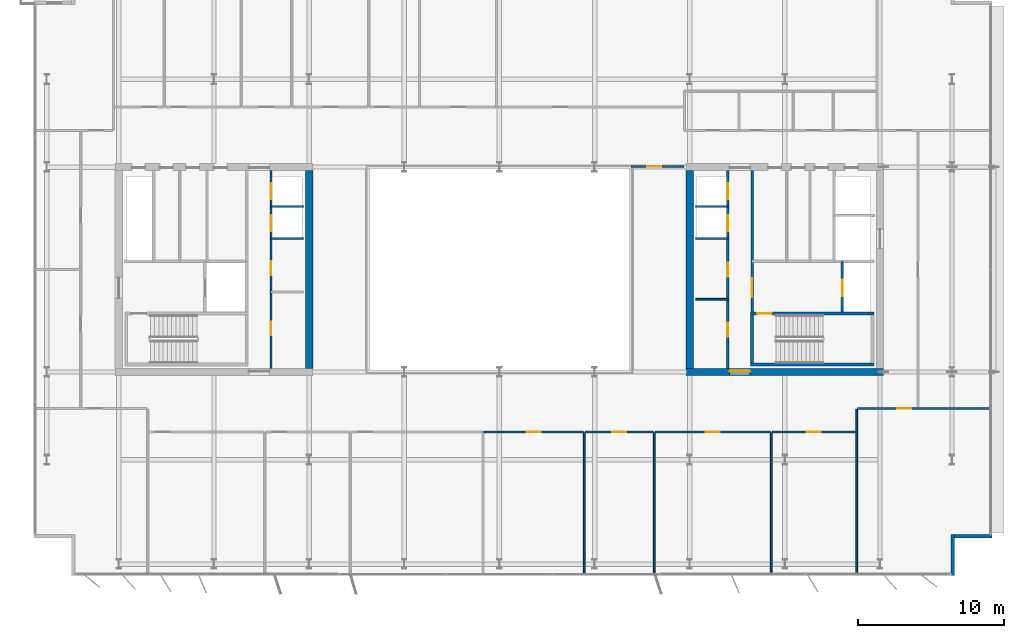
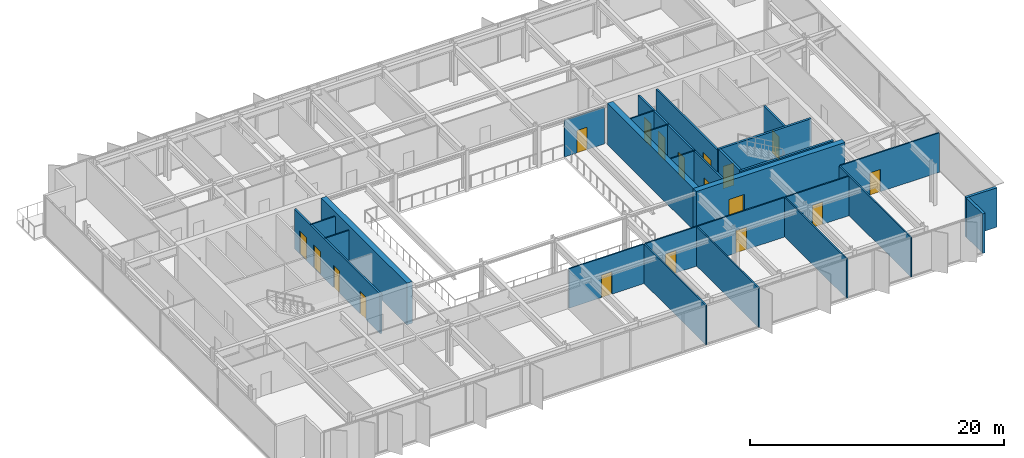
# One storey, part 14 of 20: 27 walls, 18 doors, 18 openings.
"""IFC4 building model written with IfcOpenShell, lengths in metres."""

from ifc_helpers import new_model, si_unit, direction, frame, frame_2d, origin, place, context, subcontext, project, spatial, rectangle, extrude, material, layer, layer_set, type_object, element, fill, save


model = new_model("IFC4")

# Units and contexts
model_context = context("Model", 3, precision=1e-05, world=origin(), true_north=direction((0.0, 1.0)))
body_context = subcontext(model_context, "Body", "Model", "MODEL_VIEW")
ifc_project = project(units=[si_unit("LENGTHUNIT", "METRE"), si_unit("AREAUNIT", "SQUARE_METRE"), si_unit("VOLUMEUNIT", "CUBIC_METRE"), si_unit("PLANEANGLEUNIT", "RADIAN"), si_unit("MASSUNIT", "GRAM", prefix="KILO")], contexts=[model_context])

# Site, building, storey
site_placement = place(None, origin())
site = spatial("IfcSite", under=ifc_project, at=site_placement, CompositionType="ELEMENT")
building_placement = place(site_placement, origin())
building = spatial("IfcBuilding", under=site, at=building_placement, Name="Putna Gate Headquarters", CompositionType="ELEMENT")
storey_placement = place(building_placement, frame((0.0, 0.0, 282.39990234375)))
storey = spatial("IfcBuildingStorey", under=building, at=storey_placement, Name="L71", CompositionType="ELEMENT", Elevation=282.39990234375)

# Wall
ifc_material_1 = material(Name="Concrete C50/60", Category="concrete")
ifc_layer_1 = layer(ifc_material_1, 0.5)
ifc_layer_set_1 = layer_set([ifc_layer_1], Name="Concrete C50/60")
wall_type_1 = type_object("IfcWallType", Name="WALL-CORE-500", PredefinedType="SHEAR", material=ifc_layer_set_1)
wall_1_placement = place(storey_placement, frame((26.0, 19.25, 0.0), z_axis=(0.0, 0.0, 1.0), x_axis=(0.0, 1.0, 0.0)))
element("IfcWall", 1, at=wall_1_placement, inside=storey, type_object=wall_type_1, Name="L71 WC Split Core Shear Wall E", PredefinedType="SHEAR", context=body_context, shape_type="SweptSolid", body=[
    extrude(rectangle(XDim=13.5, YDim=0.5, at=frame_2d((6.75, 0.0))), origin(), (0.0, 0.0, 1.0), 4.0),
])

# Wall, opening, door
wall_2_placement = place(storey_placement, frame((51.75, 19.0, 0.0), z_axis=(0.0, 0.0, 1.0), x_axis=(1.0, 0.0, 0.0)))
wall_2 = element("IfcWall", 2, at=wall_2_placement, inside=storey, type_object=wall_type_1, Name="L71 EC Split Core Shear Wall S", PredefinedType="SHEAR", context=body_context, shape_type="SweptSolid", body=[
    extrude(rectangle(XDim=13.5, YDim=0.5, at=frame_2d((6.75, 0.0))), origin(), (0.0, 0.0, 1.0), 4.0),
])
opening_1_placement = place(wall_2_placement, frame((2.969970703125, 0.0, 0.0)))
opening_1 = element("IfcOpeningElement", 3, at=opening_1_placement, cuts=wall_2, Name="Opening FDD-140", PredefinedType="OPENING", context=body_context, shape_type="SweptSolid", body=[
    extrude(rectangle(XDim=1.39990234375, YDim=2.199951171875, at=frame_2d((0.699951171875, 1.10009765625))), frame((0.0, 0.260009765625, 0.0), z_axis=(0.0, -1.0, 0.0), x_axis=(1.0, 0.0, 0.0)), (0.0, 0.0, 1.0), 0.52001953125),
])
ifc_material_2 = material(Name="Double steel fire door", Category="steel")
door_type_1 = type_object("IfcDoorType", Name="DOOR-FIRE-DBL-1400", OperationType="DOUBLE_DOOR_SINGLE_SWING", PredefinedType="DOOR", material=ifc_material_2)
door_1_placement = place(opening_1_placement, origin())
door_1 = element("IfcDoor", 4, at=door_1_placement, inside=storey, type_object=door_type_1, Name="L71 East Lift Lobby South Door", OperationType="DOUBLE_DOOR_SINGLE_SWING", OverallHeight=2.199951171875, OverallWidth=1.39990234375, PredefinedType="DOOR", context=body_context, shape_type="SweptSolid", body=[
    extrude(rectangle(XDim=1.39990234375, YDim=2.199951171875, at=frame_2d((0.699951171875, 1.10009765625))), frame((0.0, 0.0751953125, 0.0), z_axis=(0.0, -1.0, 0.0), x_axis=(1.0, 0.0, 0.0)), (0.0, 0.0, 1.0), 0.050048828125),
])
fill(opening_1, door_1)

# Walls
wall_3_placement = place(storey_placement, frame((52.0, 19.25, 0.0), z_axis=(0.0, 0.0, 1.0), x_axis=(0.0, 1.0, 0.0)))
element("IfcWall", 5, at=wall_3_placement, inside=storey, type_object=wall_type_1, Name="L71 EC Split Core Shear Wall W", PredefinedType="SHEAR", context=body_context, shape_type="SweptSolid", body=[
    extrude(rectangle(XDim=13.5, YDim=0.5, at=frame_2d((6.75, 0.0))), origin(), (0.0, 0.0, 1.0), 4.0),
])
ifc_material_3 = material(Name="Precast concrete C40/50", Category="concrete")
ifc_layer_2 = layer(ifc_material_3, 0.239990234375)
ifc_layer_set_2 = layer_set([ifc_layer_2], Name="Precast concrete C40/50")
wall_type_2 = type_object("IfcWallType", Name="WALL-EXT-TERR-240", PredefinedType="STANDARD", material=ifc_layer_set_2)
wall_4_placement = place(storey_placement, frame((69.968994140625, 7.89990234375, 0.0), z_axis=(0.0, 0.0, 1.0), x_axis=(0.0, -1.0, 0.0)))
element("IfcWall", 6, at=wall_4_placement, inside=storey, type_object=wall_type_2, Name="L71 Corner Notch Return Wall SE-V", PredefinedType="STANDARD", context=body_context, shape_type="SweptSolid", body=[
    extrude(rectangle(XDim=2.7998046875, YDim=0.239990234375, at=frame_2d((1.39990234375, 0.0))), origin(), (0.0, 0.0, 1.0), 3.7880859375),
])
wall_5_placement = place(storey_placement, frame((72.64892578125, 7.780029296875, 0.0), z_axis=(0.0, 0.0, 1.0), x_axis=(-1.0, 0.0, 0.0)))
element("IfcWall", 7, at=wall_5_placement, inside=storey, type_object=wall_type_2, Name="L71 Corner Notch Return Wall SE-H", PredefinedType="STANDARD", context=body_context, shape_type="SweptSolid", body=[
    extrude(rectangle(XDim=2.800048828125, YDim=0.239990234375, at=frame_2d((1.39990234375, 0.0))), origin(), (0.0, 0.0, 1.0), 3.7880859375),
])

# Wall, opening, door
ifc_material_4 = material(Name="Acoustic gypsum board on metal stud")
ifc_layer_3 = layer(ifc_material_4, 0.1201171875)
ifc_layer_set_3 = layer_set([ifc_layer_3], Name="Acoustic gypsum board on metal stud")
wall_type_3 = type_object("IfcWallType", Name="WALL-PART-120", PredefinedType="PARTITIONING", material=ifc_layer_set_3)
wall_6_placement = place(storey_placement, frame((48.0, 33.0400390625, 0.0), z_axis=(0.0, 0.0, 1.0), x_axis=(1.0, 0.0, 0.0)))
wall_6 = element("IfcWall", 8, at=wall_6_placement, inside=storey, type_object=wall_type_3, Name="L71 Interior Wall PART-L71-ATR-E-N", PredefinedType="PARTITIONING", context=body_context, shape_type="SweptSolid", body=[
    extrude(rectangle(XDim=3.60009765625, YDim=0.1201171875, at=frame_2d((1.800048828125, 0.0))), origin(), (0.0, 0.0, 1.0), 3.528076171875),
])
opening_2_placement = place(wall_6_placement, frame((1.10009765625, 0.0, 0.0)))
opening_2 = element("IfcOpeningElement", 9, at=opening_2_placement, cuts=wall_6, Name="Opening ID-95", PredefinedType="OPENING", context=body_context, shape_type="SweptSolid", body=[
    extrude(rectangle(XDim=0.949951171875, YDim=2.14990234375, at=frame_2d((0.47509765625, 1.074951171875))), frame((0.0, 0.070068359375, 0.0), z_axis=(0.0, -1.0, 0.0), x_axis=(1.0, 0.0, 0.0)), (0.0, 0.0, 1.0), 0.14013671875),
])
ifc_material_5 = material(Name="Veneered acoustic timber door", Category="wood")
door_type_2 = type_object("IfcDoorType", Name="DOOR-OFF-950", OperationType="NOTDEFINED", PredefinedType="DOOR", material=ifc_material_5)
door_2_placement = place(opening_2_placement, origin())
door_2 = element("IfcDoor", 10, at=door_2_placement, inside=storey, type_object=door_type_2, Name="L71 East Sky Atrium Lounge Door", OperationType="SINGLE_SWING_LEFT", OverallHeight=2.14990234375, OverallWidth=0.949951171875, PredefinedType="DOOR", context=body_context, shape_type="SweptSolid", body=[
    extrude(rectangle(XDim=0.949951171875, YDim=2.14990234375, at=frame_2d((0.47509765625, 1.074951171875))), frame((0.0, 0.02490234375, 0.0), z_axis=(0.0, -1.0, 0.0), x_axis=(1.0, 0.0, 0.0)), (0.0, 0.0, 1.0), 0.050048828125),
])
fill(opening_2, door_2)

# Walls
for number, where, z_axis, x_axis, name in (
    (11, (44.793212890625, 5.1201171875, 0.0), (0.0, 0.0, 1.0), (0.0, 1.0, 0.0), "L71 Interior Wall PART-L71-SB-DIV-05"),
    (12, (49.570556640625, 5.1201171875, 0.0), (0.0, 0.0, 1.0), (0.0, 1.0, 0.0), "L71 Interior Wall PART-L71-SB-DIV-06"),
    (13, (57.5634765625, 5.1201171875, 0.0), (0.0, 0.0, 1.0), (0.0, 1.0, 0.0), "L71 Interior Wall PART-L71-SB-DIV-07"),
):
    element("IfcWall", number, at=place(storey_placement, frame(where, z_axis=z_axis, x_axis=x_axis)), inside=storey, type_object=wall_type_3, Name=name, PredefinedType="PARTITIONING", context=body_context, shape_type="SweptSolid", body=[
        extrude(rectangle(XDim=9.719970703125, YDim=0.1201171875, at=frame_2d((4.85986328125, 0.0))), origin(), (0.0, 0.0, 1.0), 3.7880859375),
    ])
wall_7_placement = place(storey_placement, frame((63.408447265625, 5.1201171875, 0.0), z_axis=(0.0, 0.0, 1.0), x_axis=(0.0, 1.0, 0.0)))
element("IfcWall", 14, at=wall_7_placement, inside=storey, type_object=wall_type_3, Name="L71 Interior Wall PART-L71-SB-DIV-08", PredefinedType="PARTITIONING", context=body_context, shape_type="SweptSolid", body=[
    extrude(rectangle(XDim=11.31982421875, YDim=0.1201171875, at=frame_2d((5.659912109375, 0.0))), origin(), (0.0, 0.0, 1.0), 3.7880859375),
])
ifc_material_6 = material(Name="Fire-rated shaftwall gypsum board on metal stud")
ifc_layer_4 = layer(ifc_material_6, 0.1201171875)
ifc_layer_set_4 = layer_set([ifc_layer_4], Name="Fire-rated shaftwall gypsum board on metal stud")
wall_type_4 = type_object("IfcWallType", Name="WALL-PART-120-EI120", PredefinedType="PARTITIONING", material=ifc_layer_set_4)
for number, where, z_axis, x_axis, name in (
    (15, (23.39990234375, 30.31005859375, 0.0), (0.0, 0.0, 1.0), (1.0, 0.0, 0.0), "L71 Interior Wall CWINT-L71-WC-LF09-DIV"),
    (16, (52.39990234375, 30.31005859375, 0.0), (0.0, 0.0, 1.0), (1.0, 0.0, 0.0), "L71 Interior Wall CWINT-L71-EC-LF11-DIV"),
):
    element("IfcWall", number, at=place(storey_placement, frame(where, z_axis=z_axis, x_axis=x_axis)), inside=storey, type_object=wall_type_4, Name=name, PredefinedType="PARTITIONING", context=body_context, shape_type="SweptSolid", body=[
        extrude(rectangle(XDim=2.2001953125, YDim=0.1201171875, at=frame_2d((1.10009765625, 0.0))), origin(), (0.0, 0.0, 1.0), 3.7880859375),
    ])
ifc_material_7 = material(Name="Fire-rated gypsum board on metal stud")
ifc_layer_5 = layer(ifc_material_7, 0.1201171875)
ifc_layer_set_5 = layer_set([ifc_layer_5], Name="Fire-rated gypsum board on metal stud")
wall_type_5 = type_object("IfcWallType", Name="WALL-PART-120-RATED", PredefinedType="PARTITIONING", material=ifc_layer_set_5)
for number, where, z_axis, x_axis, name in (
    (17, (23.39990234375, 28.1201171875, 0.0), (0.0, 0.0, 1.0), (1.0, 0.0, 0.0), "L71 Interior Wall CWINT-L71-WC-LF06-DIV"),
    (18, (52.39990234375, 23.969970703125, 0.0), (0.0, 0.0, 1.0), (1.0, 0.0, 0.0), "L71 Interior Wall CWINT-L71-EC-REUSE-DIV"),
    (19, (52.39990234375, 28.1201171875, 0.0), (0.0, 0.0, 1.0), (1.0, 0.0, 0.0), "L71 Interior Wall CWINT-L71-EC-LF08-DIV"),
):
    element("IfcWall", number, at=place(storey_placement, frame(where, z_axis=z_axis, x_axis=x_axis)), inside=storey, type_object=wall_type_5, Name=name, PredefinedType="PARTITIONING", context=body_context, shape_type="SweptSolid", body=[
        extrude(rectangle(XDim=2.2001953125, YDim=0.1201171875, at=frame_2d((1.10009765625, 0.0))), origin(), (0.0, 0.0, 1.0), 3.7880859375),
    ])

# Wall, opening, door
wall_8_placement = place(storey_placement, frame((37.93408203125, 14.89990234375, 0.0), z_axis=(0.0, 0.0, 1.0), x_axis=(1.0, 0.0, 0.0)))
wall_8 = element("IfcWall", 20, at=wall_8_placement, inside=storey, type_object=wall_type_5, Name="L71 Interior Wall PART-L71-SB-CW-05", PredefinedType="PARTITIONING", context=body_context, shape_type="SweptSolid", body=[
    extrude(rectangle(XDim=6.799072265625, YDim=0.1201171875, at=frame_2d((3.3994140625, 0.0))), origin(), (0.0, 0.0, 1.0), 3.7880859375),
])
opening_3_placement = place(wall_8_placement, frame((2.924560546875, 0.0, 0.0)))
opening_3 = element("IfcOpeningElement", 21, at=opening_3_placement, cuts=wall_8, Name="Opening FD-95", PredefinedType="OPENING", context=body_context, shape_type="SweptSolid", body=[
    extrude(rectangle(XDim=0.949951171875, YDim=2.14990234375, at=frame_2d((0.47509765625, 1.074951171875))), frame((0.0, 0.070068359375, 0.0), z_axis=(0.0, -1.0, 0.0), x_axis=(1.0, 0.0, 0.0)), (0.0, 0.0, 1.0), 0.14013671875),
])
ifc_material_8 = material(Name="Acoustic timber fire door", Category="wood")
door_type_3 = type_object("IfcDoorType", Name="DOOR-FIRE-950", OperationType="NOTDEFINED", PredefinedType="DOOR", material=ifc_material_8)
door_3_placement = place(opening_3_placement, origin())
door_3 = element("IfcDoor", 22, at=door_3_placement, inside=storey, type_object=door_type_3, Name="L71 Conference Meeting Room 5 Door", OperationType="SINGLE_SWING_LEFT", OverallHeight=2.14990234375, OverallWidth=0.949951171875, PredefinedType="DOOR", context=body_context, shape_type="SweptSolid", body=[
    extrude(rectangle(XDim=0.949951171875, YDim=2.14990234375, at=frame_2d((0.47509765625, 1.074951171875))), frame((0.0, 0.02490234375, 0.0), z_axis=(0.0, -1.0, 0.0), x_axis=(1.0, 0.0, 0.0)), (0.0, 0.0, 1.0), 0.050048828125),
])
fill(opening_3, door_3)

wall_9_placement = place(storey_placement, frame((44.85302734375, 14.89990234375, 0.0), z_axis=(0.0, 0.0, 1.0), x_axis=(1.0, 0.0, 0.0)))
wall_9 = element("IfcWall", 23, at=wall_9_placement, inside=storey, type_object=wall_type_5, Name="L71 Interior Wall PART-L71-SB-CW-06", PredefinedType="PARTITIONING", context=body_context, shape_type="SweptSolid", body=[
    extrude(rectangle(XDim=4.657470703125, YDim=0.1201171875, at=frame_2d((2.32861328125, 0.0))), origin(), (0.0, 0.0, 1.0), 3.7880859375),
])
opening_4_placement = place(wall_9_placement, frame((1.853759765625, 0.0, 0.0)))
opening_4 = element("IfcOpeningElement", 24, at=opening_4_placement, cuts=wall_9, Name="Opening FD-95", PredefinedType="OPENING", context=body_context, shape_type="SweptSolid", body=[
    extrude(rectangle(XDim=0.949951171875, YDim=2.14990234375, at=frame_2d((0.47509765625, 1.074951171875))), frame((0.0, 0.070068359375, 0.0), z_axis=(0.0, -1.0, 0.0), x_axis=(1.0, 0.0, 0.0)), (0.0, 0.0, 1.0), 0.14013671875),
])
door_4_placement = place(opening_4_placement, origin())
door_4 = element("IfcDoor", 25, at=door_4_placement, inside=storey, type_object=door_type_3, Name="L71 Conference Meeting Room 6 Door", OperationType="SINGLE_SWING_RIGHT", OverallHeight=2.14990234375, OverallWidth=0.949951171875, PredefinedType="DOOR", context=body_context, shape_type="SweptSolid", body=[
    extrude(rectangle(XDim=0.949951171875, YDim=2.14990234375, at=frame_2d((0.47509765625, 1.074951171875))), frame((0.0, 0.02490234375, 0.0), z_axis=(0.0, -1.0, 0.0), x_axis=(1.0, 0.0, 0.0)), (0.0, 0.0, 1.0), 0.050048828125),
])
fill(opening_4, door_4)

wall_10_placement = place(storey_placement, frame((49.630615234375, 14.89990234375, 0.0), z_axis=(0.0, 0.0, 1.0), x_axis=(1.0, 0.0, 0.0)))
wall_10 = element("IfcWall", 26, at=wall_10_placement, inside=storey, type_object=wall_type_5, Name="L71 Interior Wall PART-L71-SB-CW-07", PredefinedType="PARTITIONING", context=body_context, shape_type="SweptSolid", body=[
    extrude(rectangle(XDim=7.872802734375, YDim=0.1201171875, at=frame_2d((3.9365234375, 0.0))), origin(), (0.0, 0.0, 1.0), 3.7880859375),
])
opening_5_placement = place(wall_10_placement, frame((3.46142578125, 0.0, 0.0)))
opening_5 = element("IfcOpeningElement", 27, at=opening_5_placement, cuts=wall_10, Name="Opening FD-95", PredefinedType="OPENING", context=body_context, shape_type="SweptSolid", body=[
    extrude(rectangle(XDim=0.949951171875, YDim=2.14990234375, at=frame_2d((0.47509765625, 1.074951171875))), frame((0.0, 0.070068359375, 0.0), z_axis=(0.0, -1.0, 0.0), x_axis=(1.0, 0.0, 0.0)), (0.0, 0.0, 1.0), 0.14013671875),
])
door_5_placement = place(opening_5_placement, origin())
door_5 = element("IfcDoor", 28, at=door_5_placement, inside=storey, type_object=door_type_3, Name="L71 Collaborative Breakout Lounge 1 Door", OperationType="SINGLE_SWING_LEFT", OverallHeight=2.14990234375, OverallWidth=0.949951171875, PredefinedType="DOOR", context=body_context, shape_type="SweptSolid", body=[
    extrude(rectangle(XDim=0.949951171875, YDim=2.14990234375, at=frame_2d((0.47509765625, 1.074951171875))), frame((0.0, 0.02490234375, 0.0), z_axis=(0.0, -1.0, 0.0), x_axis=(1.0, 0.0, 0.0)), (0.0, 0.0, 1.0), 0.050048828125),
])
fill(opening_5, door_5)

wall_11_placement = place(storey_placement, frame((57.62353515625, 14.89990234375, 0.0), z_axis=(0.0, 0.0, 1.0), x_axis=(1.0, 0.0, 0.0)))
wall_11 = element("IfcWall", 29, at=wall_11_placement, inside=storey, type_object=wall_type_5, Name="L71 Interior Wall PART-L71-SB-CW-08", PredefinedType="PARTITIONING", context=body_context, shape_type="SweptSolid", body=[
    extrude(rectangle(XDim=5.724853515625, YDim=0.1201171875, at=frame_2d((2.8623046875, 0.0))), origin(), (0.0, 0.0, 1.0), 3.7880859375),
])
opening_6_placement = place(wall_11_placement, frame((2.387451171875, 0.0, 0.0)))
opening_6 = element("IfcOpeningElement", 30, at=opening_6_placement, cuts=wall_11, Name="Opening FD-95", PredefinedType="OPENING", context=body_context, shape_type="SweptSolid", body=[
    extrude(rectangle(XDim=0.949951171875, YDim=2.14990234375, at=frame_2d((0.47509765625, 1.074951171875))), frame((0.0, 0.070068359375, 0.0), z_axis=(0.0, -1.0, 0.0), x_axis=(1.0, 0.0, 0.0)), (0.0, 0.0, 1.0), 0.14013671875),
])
door_6_placement = place(opening_6_placement, origin())
door_6 = element("IfcDoor", 31, at=door_6_placement, inside=storey, type_object=door_type_3, Name="L71 Collaborative Breakout Lounge 2 Door", OperationType="SINGLE_SWING_RIGHT", OverallHeight=2.14990234375, OverallWidth=0.949951171875, PredefinedType="DOOR", context=body_context, shape_type="SweptSolid", body=[
    extrude(rectangle(XDim=0.949951171875, YDim=2.14990234375, at=frame_2d((0.47509765625, 1.074951171875))), frame((0.0, 0.02490234375, 0.0), z_axis=(0.0, -1.0, 0.0), x_axis=(1.0, 0.0, 0.0)), (0.0, 0.0, 1.0), 0.050048828125),
])
fill(opening_6, door_6)

wall_12_placement = place(storey_placement, frame((63.468505859375, 16.5, 0.0), z_axis=(0.0, 0.0, 1.0), x_axis=(1.0, 0.0, 0.0)))
wall_12 = element("IfcWall", 32, at=wall_12_placement, inside=storey, type_object=wall_type_5, Name="L71 Interior Wall PART-L71-SB-CW-09", PredefinedType="PARTITIONING", context=body_context, shape_type="SweptSolid", body=[
    extrude(rectangle(XDim=9.00048828125, YDim=0.1201171875, at=frame_2d((4.500244140625, 0.0))), origin(), (0.0, 0.0, 1.0), 3.7880859375),
])
opening_7_placement = place(wall_12_placement, frame((2.701416015625, 0.0, 0.0)))
opening_7 = element("IfcOpeningElement", 33, at=opening_7_placement, cuts=wall_12, Name="Opening FD-95", PredefinedType="OPENING", context=body_context, shape_type="SweptSolid", body=[
    extrude(rectangle(XDim=0.949951171875, YDim=2.14990234375, at=frame_2d((0.47509765625, 1.074951171875))), frame((0.0, 0.070068359375, 0.0), z_axis=(0.0, -1.0, 0.0), x_axis=(1.0, 0.0, 0.0)), (0.0, 0.0, 1.0), 0.14013671875),
])
door_7_placement = place(opening_7_placement, origin())
door_7 = element("IfcDoor", 34, at=door_7_placement, inside=storey, type_object=door_type_3, Name="L71 Cellular Office 2 Door", OperationType="SINGLE_SWING_LEFT", OverallHeight=2.14990234375, OverallWidth=0.949951171875, PredefinedType="DOOR", context=body_context, shape_type="SweptSolid", body=[
    extrude(rectangle(XDim=0.949951171875, YDim=2.14990234375, at=frame_2d((0.47509765625, 1.074951171875))), frame((0.0, 0.02490234375, 0.0), z_axis=(0.0, -1.0, 0.0), x_axis=(1.0, 0.0, 0.0)), (0.0, 0.0, 1.0), 0.050048828125),
])
fill(opening_7, door_7)

# Wall, openings, doors
ifc_material_9 = material(Name="Concrete C40/50", Category="concrete")
ifc_layer_6 = layer(ifc_material_9, 0.159912109375)
ifc_layer_set_6 = layer_set([ifc_layer_6], Name="Concrete C40/50")
wall_type_6 = type_object("IfcWallType", Name="WALL-SHAFT-160", PredefinedType="STANDARD", material=ifc_layer_set_6)
wall_13_placement = place(storey_placement, frame((23.39990234375, 19.25, 0.0), z_axis=(0.0, 0.0, 1.0), x_axis=(0.0, 1.0, 0.0)))
wall_13 = element("IfcWall", 35, at=wall_13_placement, inside=storey, type_object=wall_type_6, Name="L71 Interior Wall CWINT-L71-WC-PL-WALL", PredefinedType="STANDARD", context=body_context, shape_type="SweptSolid", body=[
    extrude(rectangle(XDim=13.5, YDim=0.159912109375, at=frame_2d((6.75, 0.0))), origin(), (0.0, 0.0, 1.0), 3.7880859375),
])
opening_8_placement = place(wall_13_placement, frame((2.25, 0.0, 0.0)))
opening_8 = element("IfcOpeningElement", 36, at=opening_8_placement, cuts=wall_13, Name="Opening IDS-95", PredefinedType="OPENING", context=body_context, shape_type="SweptSolid", body=[
    extrude(rectangle(XDim=0.949951171875, YDim=2.14990234375, at=frame_2d((0.47509765625, 1.074951171875))), frame((0.0, 0.08984375, 0.0), z_axis=(0.0, -1.0, 0.0), x_axis=(1.0, 0.0, 0.0)), (0.0, 0.0, 1.0), 0.179931640625),
])
opening_9_placement = place(wall_13_placement, frame((6.35009765625, 0.0, 0.0)))
opening_9 = element("IfcOpeningElement", 37, at=opening_9_placement, cuts=wall_13, Name="Opening IDS-95", PredefinedType="OPENING", context=body_context, shape_type="SweptSolid", body=[
    extrude(rectangle(XDim=0.949951171875, YDim=2.14990234375, at=frame_2d((0.47509765625, 1.074951171875))), frame((0.0, 0.08984375, 0.0), z_axis=(0.0, -1.0, 0.0), x_axis=(1.0, 0.0, 0.0)), (0.0, 0.0, 1.0), 0.179931640625),
])
opening_10_placement = place(wall_13_placement, frame((9.35009765625, 0.0, 0.0)))
opening_10 = element("IfcOpeningElement", 38, at=opening_10_placement, cuts=wall_13, Name="Opening LD-1", PredefinedType="OPENING", context=body_context, shape_type="SweptSolid", body=[
    extrude(rectangle(XDim=1.10009765625, YDim=2.199951171875, at=frame_2d((0.550048828125, 1.10009765625))), frame((0.0, 0.08984375, 0.0), z_axis=(0.0, -1.0, 0.0), x_axis=(1.0, 0.0, 0.0)), (0.0, 0.0, 1.0), 0.179931640625),
])
opening_11_placement = place(wall_13_placement, frame((11.550048828125, 0.0, 0.0)))
opening_11 = element("IfcOpeningElement", 39, at=opening_11_placement, cuts=wall_13, Name="Opening LD-1", PredefinedType="OPENING", context=body_context, shape_type="SweptSolid", body=[
    extrude(rectangle(XDim=1.10009765625, YDim=2.199951171875, at=frame_2d((0.550048828125, 1.10009765625))), frame((0.0, 0.08984375, 0.0), z_axis=(0.0, -1.0, 0.0), x_axis=(1.0, 0.0, 0.0)), (0.0, 0.0, 1.0), 0.179931640625),
])
ifc_material_10 = material(Name="Fire-rated service timber door", Category="wood")
door_type_4 = type_object("IfcDoorType", Name="DOOR-INT-950", OperationType="NOTDEFINED", PredefinedType="DOOR", material=ifc_material_10)
door_8_placement = place(opening_8_placement, origin())
door_8 = element("IfcDoor", 40, at=door_8_placement, inside=storey, type_object=door_type_4, Name="L71 Tenant IT Hub Door", OperationType="SINGLE_SWING_LEFT", OverallHeight=2.14990234375, OverallWidth=0.949951171875, PredefinedType="DOOR", context=body_context, shape_type="SweptSolid", body=[
    extrude(rectangle(XDim=0.949951171875, YDim=2.14990234375, at=frame_2d((0.47509765625, 1.074951171875))), frame((0.0, 0.02490234375, 0.0), z_axis=(0.0, -1.0, 0.0), x_axis=(1.0, 0.0, 0.0)), (0.0, 0.0, 1.0), 0.050048828125),
])
fill(opening_8, door_8)
door_9_placement = place(opening_9_placement, origin())
door_9 = element("IfcDoor", 41, at=door_9_placement, inside=storey, type_object=door_type_4, Name="L71 Records Vault Door", OperationType="SINGLE_SWING_RIGHT", OverallHeight=2.14990234375, OverallWidth=0.949951171875, PredefinedType="DOOR", context=body_context, shape_type="SweptSolid", body=[
    extrude(rectangle(XDim=0.949951171875, YDim=2.14990234375, at=frame_2d((0.47509765625, 1.074951171875))), frame((0.0, 0.02490234375, 0.0), z_axis=(0.0, -1.0, 0.0), x_axis=(1.0, 0.0, 0.0)), (0.0, 0.0, 1.0), 0.050048828125),
])
fill(opening_9, door_9)
ifc_material_11 = material(Name="Brushed bronze stainless lift landing door")
door_type_5 = type_object("IfcDoorType", Name="DOOR-LIFT-1100", OperationType="DOUBLE_DOOR_SLIDING", PredefinedType="DOOR", material=ifc_material_11)
door_10_placement = place(opening_10_placement, origin())
door_10 = element("IfcDoor", 42, at=door_10_placement, inside=storey, type_object=door_type_5, Name="L71 Lift Landing Door LD-09", OperationType="DOUBLE_DOOR_SLIDING", OverallHeight=2.199951171875, OverallWidth=1.10009765625, PredefinedType="DOOR", context=body_context, shape_type="SweptSolid", body=[
    extrude(rectangle(XDim=1.10009765625, YDim=2.199951171875, at=frame_2d((0.550048828125, 1.10009765625))), frame((0.0, 0.02490234375, 0.0), z_axis=(0.0, -1.0, 0.0), x_axis=(1.0, 0.0, 0.0)), (0.0, 0.0, 1.0), 0.050048828125),
])
fill(opening_10, door_10)
door_11_placement = place(opening_11_placement, origin())
door_11 = element("IfcDoor", 43, at=door_11_placement, inside=storey, type_object=door_type_5, Name="L71 Lift Landing Door LD-10", OperationType="DOUBLE_DOOR_SLIDING", OverallHeight=2.199951171875, OverallWidth=1.10009765625, PredefinedType="DOOR", context=body_context, shape_type="SweptSolid", body=[
    extrude(rectangle(XDim=1.10009765625, YDim=2.199951171875, at=frame_2d((0.550048828125, 1.10009765625))), frame((0.0, 0.02490234375, 0.0), z_axis=(0.0, -1.0, 0.0), x_axis=(1.0, 0.0, 0.0)), (0.0, 0.0, 1.0), 0.050048828125),
])
fill(opening_11, door_11)

wall_14_placement = place(storey_placement, frame((54.60009765625, 19.25, 0.0), z_axis=(0.0, 0.0, 1.0), x_axis=(0.0, 1.0, 0.0)))
wall_14 = element("IfcWall", 44, at=wall_14_placement, inside=storey, type_object=wall_type_6, Name="L71 Interior Wall CWINT-L71-EC-PL-WALL", PredefinedType="STANDARD", context=body_context, shape_type="SweptSolid", body=[
    extrude(rectangle(XDim=13.5, YDim=0.159912109375, at=frame_2d((6.75, 0.0))), origin(), (0.0, 0.0, 1.0), 3.7880859375),
])
opening_12_placement = place(wall_14_placement, frame((2.14990234375, 0.0, 0.0)))
opening_12 = element("IfcOpeningElement", 45, at=opening_12_placement, cuts=wall_14, Name="Opening IDS-95", PredefinedType="OPENING", context=body_context, shape_type="SweptSolid", body=[
    extrude(rectangle(XDim=0.949951171875, YDim=2.14990234375, at=frame_2d((0.47509765625, 1.074951171875))), frame((0.0, 0.08984375, 0.0), z_axis=(0.0, -1.0, 0.0), x_axis=(1.0, 0.0, 0.0)), (0.0, 0.0, 1.0), 0.179931640625),
])
opening_13_placement = place(wall_14_placement, frame((6.25, 0.0, 0.0)))
opening_13 = element("IfcOpeningElement", 46, at=opening_13_placement, cuts=wall_14, Name="Opening IDS-95", PredefinedType="OPENING", context=body_context, shape_type="SweptSolid", body=[
    extrude(rectangle(XDim=0.949951171875, YDim=2.14990234375, at=frame_2d((0.47509765625, 1.074951171875))), frame((0.0, 0.08984375, 0.0), z_axis=(0.0, -1.0, 0.0), x_axis=(1.0, 0.0, 0.0)), (0.0, 0.0, 1.0), 0.179931640625),
])
opening_14_placement = place(wall_14_placement, frame((9.35009765625, 0.0, 0.0)))
opening_14 = element("IfcOpeningElement", 47, at=opening_14_placement, cuts=wall_14, Name="Opening LD-1", PredefinedType="OPENING", context=body_context, shape_type="SweptSolid", body=[
    extrude(rectangle(XDim=1.10009765625, YDim=2.199951171875, at=frame_2d((0.550048828125, 1.10009765625))), frame((0.0, 0.08984375, 0.0), z_axis=(0.0, -1.0, 0.0), x_axis=(1.0, 0.0, 0.0)), (0.0, 0.0, 1.0), 0.179931640625),
])
opening_15_placement = place(wall_14_placement, frame((11.550048828125, 0.0, 0.0)))
opening_15 = element("IfcOpeningElement", 48, at=opening_15_placement, cuts=wall_14, Name="Opening LD-1", PredefinedType="OPENING", context=body_context, shape_type="SweptSolid", body=[
    extrude(rectangle(XDim=1.10009765625, YDim=2.199951171875, at=frame_2d((0.550048828125, 1.10009765625))), frame((0.0, 0.08984375, 0.0), z_axis=(0.0, -1.0, 0.0), x_axis=(1.0, 0.0, 0.0)), (0.0, 0.0, 1.0), 0.179931640625),
])
door_12_placement = place(opening_12_placement, origin())
door_12 = element("IfcDoor", 49, at=door_12_placement, inside=storey, type_object=door_type_4, Name="L71 Executive Archive Door", OperationType="SINGLE_SWING_RIGHT", OverallHeight=2.14990234375, OverallWidth=0.949951171875, PredefinedType="DOOR", context=body_context, shape_type="SweptSolid", body=[
    extrude(rectangle(XDim=0.949951171875, YDim=2.14990234375, at=frame_2d((0.47509765625, 1.074951171875))), frame((0.0, 0.02490234375, 0.0), z_axis=(0.0, -1.0, 0.0), x_axis=(1.0, 0.0, 0.0)), (0.0, 0.0, 1.0), 0.050048828125),
])
fill(opening_12, door_12)
door_13_placement = place(opening_13_placement, origin())
door_13 = element("IfcDoor", 50, at=door_13_placement, inside=storey, type_object=door_type_4, Name="L71 Comms Distribution Door", OperationType="SINGLE_SWING_LEFT", OverallHeight=2.14990234375, OverallWidth=0.949951171875, PredefinedType="DOOR", context=body_context, shape_type="SweptSolid", body=[
    extrude(rectangle(XDim=0.949951171875, YDim=2.14990234375, at=frame_2d((0.47509765625, 1.074951171875))), frame((0.0, 0.02490234375, 0.0), z_axis=(0.0, -1.0, 0.0), x_axis=(1.0, 0.0, 0.0)), (0.0, 0.0, 1.0), 0.050048828125),
])
fill(opening_13, door_13)
door_14_placement = place(opening_14_placement, origin())
door_14 = element("IfcDoor", 51, at=door_14_placement, inside=storey, type_object=door_type_5, Name="L71 Lift Landing Door LD-11", OperationType="DOUBLE_DOOR_SLIDING", OverallHeight=2.199951171875, OverallWidth=1.10009765625, PredefinedType="DOOR", context=body_context, shape_type="SweptSolid", body=[
    extrude(rectangle(XDim=1.10009765625, YDim=2.199951171875, at=frame_2d((0.550048828125, 1.10009765625))), frame((0.0, 0.02490234375, 0.0), z_axis=(0.0, -1.0, 0.0), x_axis=(1.0, 0.0, 0.0)), (0.0, 0.0, 1.0), 0.050048828125),
])
fill(opening_14, door_14)
door_15_placement = place(opening_15_placement, origin())
door_15 = element("IfcDoor", 52, at=door_15_placement, inside=storey, type_object=door_type_5, Name="L71 Lift Landing Door LD-12", OperationType="DOUBLE_DOOR_SLIDING", OverallHeight=2.199951171875, OverallWidth=1.10009765625, PredefinedType="DOOR", context=body_context, shape_type="SweptSolid", body=[
    extrude(rectangle(XDim=1.10009765625, YDim=2.199951171875, at=frame_2d((0.550048828125, 1.10009765625))), frame((0.0, 0.02490234375, 0.0), z_axis=(0.0, -1.0, 0.0), x_axis=(1.0, 0.0, 0.0)), (0.0, 0.0, 1.0), 0.050048828125),
])
fill(opening_15, door_15)

# Wall, opening, door
wall_15_placement = place(storey_placement, frame((56.260009765625, 23.090087890625, 0.0), z_axis=(0.0, 0.0, 1.0), x_axis=(0.0, 1.0, 0.0)))
wall_15 = element("IfcWall", 53, at=wall_15_placement, inside=storey, type_object=wall_type_6, Name="L71 Interior Wall CWINT-L71-EC-LOB-E", PredefinedType="STANDARD", context=body_context, shape_type="SweptSolid", body=[
    extrude(rectangle(XDim=9.659912109375, YDim=0.159912109375, at=frame_2d((4.830078125, 0.0))), origin(), (0.0, 0.0, 1.0), 3.7880859375),
])
opening_16_placement = place(wall_15_placement, frame((1.010009765625, 0.0, 0.0)))
opening_16 = element("IfcOpeningElement", 54, at=opening_16_placement, cuts=wall_15, Name="Opening FDD-130", PredefinedType="OPENING", context=body_context, shape_type="SweptSolid", body=[
    extrude(rectangle(XDim=1.300048828125, YDim=2.199951171875, at=frame_2d((0.64990234375, 1.10009765625))), frame((0.0, 0.08984375, 0.0), z_axis=(0.0, -1.0, 0.0), x_axis=(1.0, 0.0, 0.0)), (0.0, 0.0, 1.0), 0.179931640625),
])
ifc_material_12 = material(Name="Double steel lobby fire door", Category="steel")
door_type_6 = type_object("IfcDoorType", Name="DOOR-FIRE-DBL-1300", OperationType="DOUBLE_DOOR_SINGLE_SWING", PredefinedType="DOOR", material=ifc_material_12)
door_16_placement = place(opening_16_placement, origin())
door_16 = element("IfcDoor", 55, at=door_16_placement, inside=storey, type_object=door_type_6, Name="L71 East Firefighting Lobby Door", OperationType="DOUBLE_DOOR_SINGLE_SWING", OverallHeight=2.199951171875, OverallWidth=1.300048828125, PredefinedType="DOOR", context=body_context, shape_type="SweptSolid", body=[
    extrude(rectangle(XDim=1.300048828125, YDim=2.199951171875, at=frame_2d((0.64990234375, 1.10009765625))), frame((0.0, 0.02490234375, 0.0), z_axis=(0.0, -1.0, 0.0), x_axis=(1.0, 0.0, 0.0)), (0.0, 0.0, 1.0), 0.050048828125),
])
fill(opening_16, door_16)

wall_16_placement = place(storey_placement, frame((62.429931640625, 23.090087890625, 0.0), z_axis=(0.0, 0.0, 1.0), x_axis=(0.0, 1.0, 0.0)))
wall_16 = element("IfcWall", 56, at=wall_16_placement, inside=storey, type_object=wall_type_6, Name="L71 Interior Wall CWINT-L71-EC-LF14-W", PredefinedType="STANDARD", context=body_context, shape_type="SweptSolid", body=[
    extrude(rectangle(XDim=3.469970703125, YDim=0.159912109375, at=frame_2d((1.73486328125, 0.0))), origin(), (0.0, 0.0, 1.0), 3.7880859375),
])
opening_17_placement = place(wall_16_placement, frame((1.10009765625, 0.0, 0.0)))
opening_17 = element("IfcOpeningElement", 57, at=opening_17_placement, cuts=wall_16, Name="Opening LD-1", PredefinedType="OPENING", context=body_context, shape_type="SweptSolid", body=[
    extrude(rectangle(XDim=1.10009765625, YDim=2.199951171875, at=frame_2d((0.550048828125, 1.10009765625))), frame((0.0, 0.08984375, 0.0), z_axis=(0.0, -1.0, 0.0), x_axis=(1.0, 0.0, 0.0)), (0.0, 0.0, 1.0), 0.179931640625),
])
door_17_placement = place(opening_17_placement, origin())
door_17 = element("IfcDoor", 58, at=door_17_placement, inside=storey, type_object=door_type_5, Name="L71 Lift Landing Door LD-14", OperationType="DOUBLE_DOOR_SLIDING", OverallHeight=2.199951171875, OverallWidth=1.10009765625, PredefinedType="DOOR", context=body_context, shape_type="SweptSolid", body=[
    extrude(rectangle(XDim=1.10009765625, YDim=2.199951171875, at=frame_2d((0.550048828125, 1.10009765625))), frame((0.0, 0.02490234375, 0.0), z_axis=(0.0, -1.0, 0.0), x_axis=(1.0, 0.0, 0.0)), (0.0, 0.0, 1.0), 0.050048828125),
])
fill(opening_17, door_17)

# Wall
ifc_layer_7 = layer(ifc_material_9, 0.199951171875)
ifc_layer_set_7 = layer_set([ifc_layer_7], Name="Concrete C40/50")
wall_type_7 = type_object("IfcWallType", Name="WALL-SHAFT-RC200", PredefinedType="SHEAR", material=ifc_layer_set_7)
wall_17_placement = place(storey_placement, frame((56.159912109375, 19.510009765625, 0.0), z_axis=(0.0, 0.0, 1.0), x_axis=(1.0, 0.0, 0.0)))
element("IfcWall", 59, at=wall_17_placement, inside=storey, type_object=wall_type_7, Name="L71 Stair ST2 Structural Shaft Wall S", PredefinedType="SHEAR", context=body_context, shape_type="SweptSolid", body=[
    extrude(rectangle(XDim=8.43017578125, YDim=0.199951171875, at=frame_2d((4.215087890625, 0.0))), origin(), (0.0, 0.0, 1.0), 4.0),
])

# Wall, opening, door
wall_18_placement = place(storey_placement, frame((56.159912109375, 22.989990234375, 0.0), z_axis=(0.0, 0.0, 1.0), x_axis=(1.0, 0.0, 0.0)))
wall_18 = element("IfcWall", 60, at=wall_18_placement, inside=storey, type_object=wall_type_7, Name="L71 Stair ST2 Structural Shaft Wall N", PredefinedType="SHEAR", context=body_context, shape_type="SweptSolid", body=[
    extrude(rectangle(XDim=8.43017578125, YDim=0.199951171875, at=frame_2d((4.215087890625, 0.0))), origin(), (0.0, 0.0, 1.0), 4.0),
])
opening_18_placement = place(wall_18_placement, frame((0.449951171875, 0.0, 0.0)))
opening_18 = element("IfcOpeningElement", 61, at=opening_18_placement, cuts=wall_18, Name="Opening FD-100", PredefinedType="OPENING", context=body_context, shape_type="SweptSolid", body=[
    extrude(rectangle(XDim=1.0, YDim=2.14990234375, at=frame_2d((0.5, 1.074951171875))), frame((0.0, 0.10986328125, 0.0), z_axis=(0.0, -1.0, 0.0), x_axis=(1.0, 0.0, 0.0)), (0.0, 0.0, 1.0), 0.219970703125),
])
ifc_material_13 = material(Name="Powder-coated steel fire door", Category="steel")
door_type_7 = type_object("IfcDoorType", Name="DOOR-FIRE-1000", OperationType="NOTDEFINED", PredefinedType="DOOR", material=ifc_material_13)
door_18_placement = place(opening_18_placement, origin())
door_18 = element("IfcDoor", 62, at=door_18_placement, inside=storey, type_object=door_type_7, Name="L71 Stair ST2 Fire Door", OperationType="SINGLE_SWING_RIGHT", OverallHeight=2.14990234375, OverallWidth=1.0, PredefinedType="DOOR", context=body_context, shape_type="SweptSolid", body=[
    extrude(rectangle(XDim=1.0, YDim=2.14990234375, at=frame_2d((0.5, 1.074951171875))), frame((0.0, 0.02490234375, 0.0), z_axis=(0.0, -1.0, 0.0), x_axis=(1.0, 0.0, 0.0)), (0.0, 0.0, 1.0), 0.050048828125),
])
fill(opening_18, door_18)

# Wall
wall_19_placement = place(storey_placement, frame((56.260009765625, 19.610107421875, 0.0), z_axis=(0.0, 0.0, 1.0), x_axis=(0.0, 1.0, 0.0)))
element("IfcWall", 63, at=wall_19_placement, inside=storey, type_object=wall_type_7, Name="L71 Stair ST2 Structural Shaft Wall W", PredefinedType="SHEAR", context=body_context, shape_type="SweptSolid", body=[
    extrude(rectangle(XDim=3.27978515625, YDim=0.199951171875, at=frame_2d((1.639892578125, 0.0))), origin(), (0.0, 0.0, 1.0), 4.0),
])

save(model, "model.ifc")
